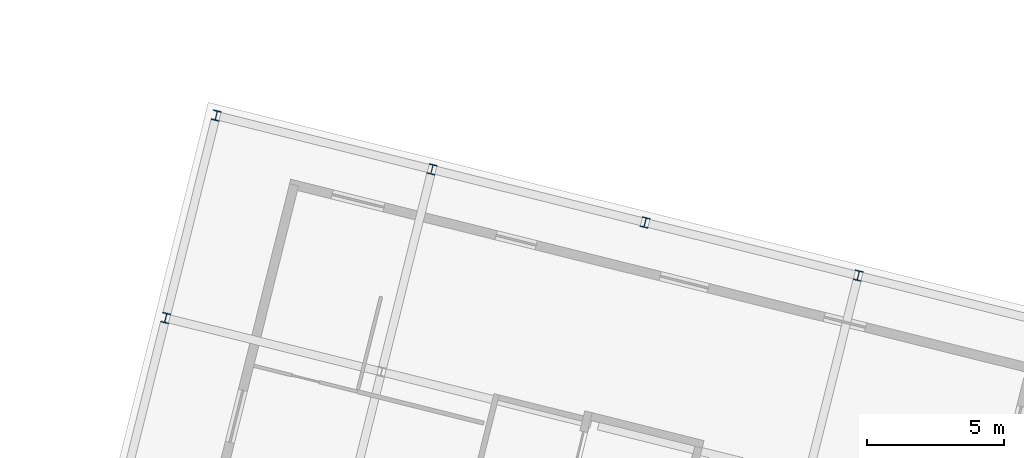
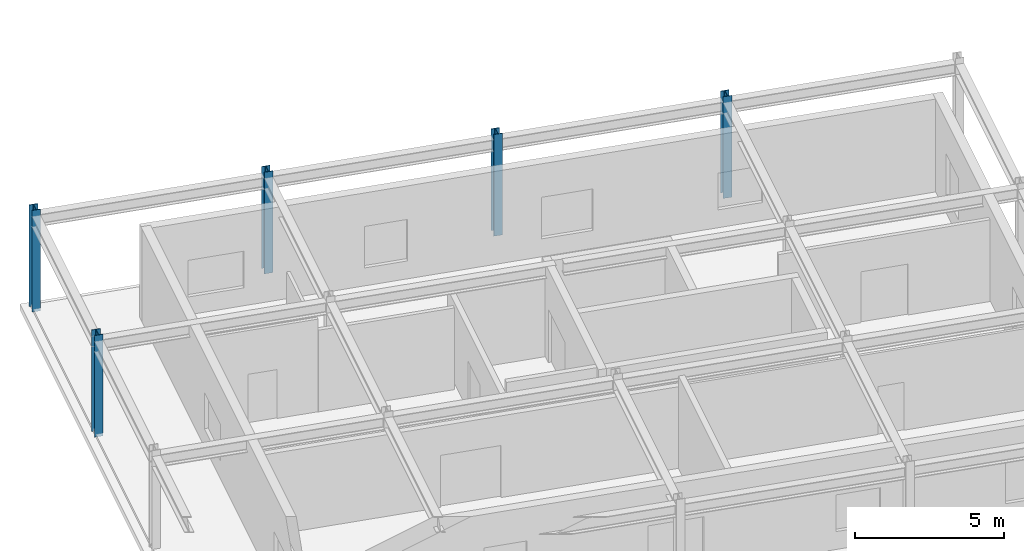
# One storey, part 9 of 59: 5 columns.
"""IFC4 building model written with IfcOpenShell, lengths in metres."""

from ifc_helpers import new_model, si_unit, direction, frame, origin, origin_2d, place, context, subcontext, project, spatial, i_section, extrude, material, material_profile, profile_set, type_object, element, save


model = new_model("IFC4")

# Units and contexts
model_context = context("Model", 3, precision=1e-05, world=origin(), true_north=direction((0.0, 1.0)))
body_context = subcontext(model_context, "Body", "Model", "MODEL_VIEW")
ifc_project = project(units=[si_unit("LENGTHUNIT", "METRE"), si_unit("AREAUNIT", "SQUARE_METRE"), si_unit("VOLUMEUNIT", "CUBIC_METRE"), si_unit("PLANEANGLEUNIT", "RADIAN"), si_unit("MASSUNIT", "GRAM", prefix="KILO")], contexts=[model_context])

# Site, building, storey
site_placement = place(None, origin())
site = spatial("IfcSite", under=ifc_project, at=site_placement, CompositionType="ELEMENT")
building_placement = place(site_placement, origin())
building = spatial("IfcBuilding", under=site, at=building_placement, Name="Varnklinge Art Gallery", CompositionType="ELEMENT")
storey_placement = place(building_placement, frame((0.0, 0.0, 9.52001953125)))
storey = spatial("IfcBuildingStorey", under=building, at=storey_placement, Name="L02", CompositionType="ELEMENT", Elevation=9.52001953125)

# Columns
ifc_material = material(Name="Steel S355", Category="steel")
ifc_material_profile = material_profile(ifc_material, i_section(OverallWidth=0.300048828125, OverallDepth=0.360107421875, WebThickness=0.012451171875, FlangeThickness=0.0224609375, FilletRadius=0.027099609375, at=origin_2d()), Name="HEB 360")
ifc_profile_set = profile_set([ifc_material_profile], Name="Steel S355")
column_type = type_object("IfcColumnType", Name="COL-E4", PredefinedType="COLUMN", material=ifc_profile_set)
for number, where, z_axis, x_axis, name in (
    (1, (9.22509765625, 99.791015625, 0.0), (0.0, 0.0, 1.0), (0.970295726276, -0.2419218956, 0.0), "L02 Column V5C-1-3"),
    (2, (11.063720703125, 107.165283203125, 0.0), (0.0, 0.0, 1.0), (0.970295726276, -0.2419218956, 0.0), "L02 Column V5C-1-4"),
    (3, (18.923095703125, 105.205810546875, 0.0), (0.0, 0.0, 1.0), (0.970295726276, -0.2419218956, 0.0), "L02 Column V5C-2-4"),
    (4, (26.685302734375, 103.270263671875, 0.0), (0.0, 0.0, 1.0), (0.970295726276, -0.2419218956, 0.0), "L02 Column V5C-3-4"),
    (5, (34.44775390625, 101.3349609375, 0.0), (0.0, 0.0, 1.0), (0.970295726276, -0.2419218956, 0.0), "L02 Column V5C-4-4"),
):
    element("IfcColumn", number, at=place(storey_placement, frame(where, z_axis=z_axis, x_axis=x_axis)), inside=storey, type_object=column_type, Name=name, PredefinedType="COLUMN", context=body_context, shape_type="SweptSolid", body=[
        extrude(i_section(OverallWidth=0.300048828125, OverallDepth=0.360107421875, WebThickness=0.012451171875, FlangeThickness=0.0224609375, FilletRadius=0.027099609375, at=origin_2d()), origin(), (0.0, 0.0, 1.0), 4.159912109375),
    ])

save(model, "model.ifc")
